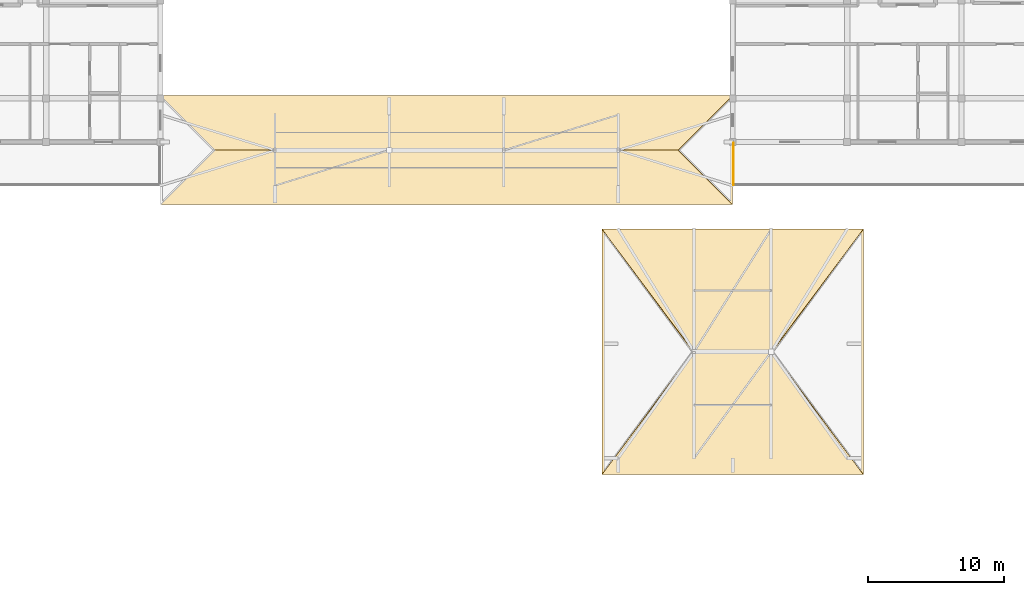
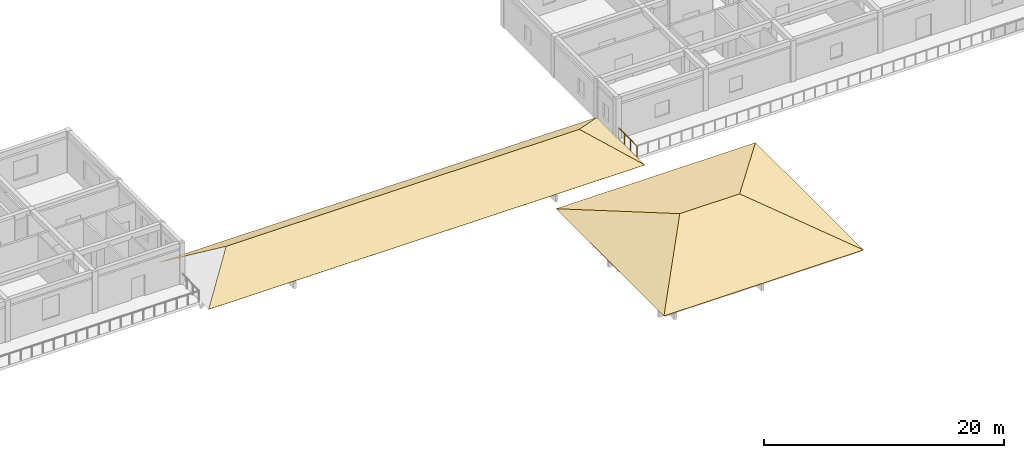
# One storey, part 23 of 26: 7 coverings, 1 railing, 2 elements without a shape of their own.
"""IFC4 building model written with IfcOpenShell, lengths in metres."""

from ifc_helpers import new_model, si_unit, direction, frame, origin, origin_2d, place, context, subcontext, project, spatial, polyline, circle, outline, extrude, material, layer, layer_set, type_object, element, aggregate, save


model = new_model("IFC4")

# Units and contexts
model_context = context("Model", 3, precision=1e-05, world=origin(), true_north=direction((0.0, 1.0)))
body_context = subcontext(model_context, "Body", "Model", "MODEL_VIEW")
ifc_project = project(units=[si_unit("LENGTHUNIT", "METRE"), si_unit("AREAUNIT", "SQUARE_METRE"), si_unit("VOLUMEUNIT", "CUBIC_METRE"), si_unit("PLANEANGLEUNIT", "RADIAN"), si_unit("MASSUNIT", "GRAM", prefix="KILO")], contexts=[model_context])

# Site, building, storey
site_placement = place(None, origin())
site = spatial("IfcSite", under=ifc_project, at=site_placement, CompositionType="ELEMENT")
building_placement = place(site_placement, origin())
building = spatial("IfcBuilding", under=site, at=building_placement, Name="Varncliffe General Hospital", CompositionType="ELEMENT")
storey_placement = place(building_placement, frame((0.0, 0.0, 28.800048828125)))
storey = spatial("IfcBuildingStorey", under=building, at=storey_placement, Name="L06", CompositionType="ELEMENT", Elevation=28.800048828125)

# Railing
ifc_material_1 = material(Name="Powder-coated wrought-iron and bronze balustrade", Category="steel")
railing_type = type_object("IfcRailingType", Name="Spanish Colonial Wrought-Iron Terrace Balustrade BL44", PredefinedType="BALUSTRADE", material=ifc_material_1)
railing_placement = place(storey_placement, frame((109.260009765625, 105.919921875, 0.0)))
element("IfcRailing", 1, at=railing_placement, inside=storey, type_object=railing_type, Name="L06 East Step-2 Healing Roof Terrace Balustrade 11", PredefinedType="BALUSTRADE", context=body_context, shape_type="SweptSolid", body=[
    extrude(circle(Radius=0.02392578125, at=origin_2d()), frame((0.0, 0.0, 1.076171875), z_axis=(0.0, -1.0, 0.0), x_axis=(1.0, 0.0, 0.0)), (0.0, 0.0, 1.0), 3.059814453125),
    extrude(circle(Radius=0.02099609375, at=origin_2d()), origin(), (0.0, 0.0, 1.0), 1.052001953125),
    extrude(circle(Radius=0.02099609375, at=origin_2d()), frame((0.0, -1.02001953125, 0.0)), (0.0, 0.0, 1.0), 1.052001953125),
    extrude(circle(Radius=0.02099609375, at=origin_2d()), frame((0.0, -2.039794921875, 0.0)), (0.0, 0.0, 1.0), 1.052001953125),
    extrude(circle(Radius=0.02099609375, at=origin_2d()), frame((0.0, -3.059814453125, 0.0)), (0.0, 0.0, 1.0), 1.052001953125),
])

# Roof, coverings
ifc_material_2 = material(Name="Terracotta clay roof tile over waterproof membrane", Category="masonry")
roof_type = type_object("IfcRoofType", Name="Hipped Clay-Tile Roof Assembly HR20", PredefinedType="HIP_ROOF", material=ifc_material_2)
roof_1_placement = place(storey_placement, origin())
roof_1 = element("IfcRoof", 2, at=roof_1_placement, inside=storey, type_object=roof_type, Name="L06 Hipped Roof RF-V4-PH", PredefinedType="HIP_ROOF")
ifc_layer = layer(ifc_material_2, 0.044921875)
ifc_layer_set = layer_set([ifc_layer], Name="Terracotta clay roof tile over waterproof membrane")
covering_type = type_object("IfcCoveringType", Name="Terracotta Clay Tile Roofing RFG24", PredefinedType="ROOFING", material=ifc_layer_set)
covering_1_placement = place(storey_placement, frame((99.60009765625, 81.60009765625, 0.044921875), z_axis=(0.0, -0.27754927422, 0.960711403273), x_axis=(1.0, 0.0, 0.0)))
covering_1 = element("IfcCovering", 3, at=covering_1_placement, type_object=covering_type, Name="L06 RF-V4-PH Terracotta Clay Tile Slope S", PredefinedType="ROOFING", context=body_context, shape_type="SweptSolid", body=[
    extrude(outline(polyline([(0.0, 0.0), (19.199951171875, 0.0), (12.47998046875, 9.36805784685581), (6.719970703125, 9.36805784685581), (0.0, 0.0)])), origin(), (0.0, 0.0, -1.0), 0.044921875),
])
covering_2_placement = place(storey_placement, frame((118.800048828125, 99.60009765625, 0.044921875), z_axis=(0.0, 0.27754927422, 0.960711403273), x_axis=(-1.0, 0.0, 0.0)))
covering_2 = element("IfcCovering", 4, at=covering_2_placement, type_object=covering_type, Name="L06 RF-V4-PH Terracotta Clay Tile Slope N", PredefinedType="ROOFING", context=body_context, shape_type="SweptSolid", body=[
    extrude(outline(polyline([(0.0, 0.0), (19.199951171875, 0.0), (12.47998046875, 9.36805784685581), (6.719970703125, 9.36805784685581), (0.0, 0.0)])), origin(), (0.0, 0.0, -1.0), 0.044921875),
])
covering_3_placement = place(storey_placement, frame((99.60009765625, 99.60009765625, 0.044921875), z_axis=(-0.36085151473, 0.0, 0.932623281029), x_axis=(0.0, -1.0, 0.0)))
covering_3 = element("IfcCovering", 5, at=covering_3_placement, type_object=covering_type, Name="L06 RF-V4-PH Terracotta Clay Tile Slope W", PredefinedType="ROOFING", context=body_context, shape_type="SweptSolid", body=[
    extrude(outline(polyline([(0.0, 0.0), (18.0, 0.0), (9.0, 7.205450303270091), (0.0, 0.0)])), origin(), (0.0, 0.0, -1.0), 0.044921875),
])
covering_4_placement = place(storey_placement, frame((118.800048828125, 81.60009765625, 0.044921875), z_axis=(0.36085151473, 0.0, 0.932623281029), x_axis=(0.0, 1.0, 0.0)))
covering_4 = element("IfcCovering", 6, at=covering_4_placement, type_object=covering_type, Name="L06 RF-V4-PH Terracotta Clay Tile Slope E", PredefinedType="ROOFING", context=body_context, shape_type="SweptSolid", body=[
    extrude(outline(polyline([(0.0, 0.0), (18.0, 0.0), (9.0, 7.205450303270091), (0.0, 0.0)])), origin(), (0.0, 0.0, -1.0), 0.044921875),
])
aggregate(roof_1, [covering_1, covering_2, covering_3, covering_4])

roof_2_placement = place(storey_placement, origin())
roof_2 = element("IfcRoof", 7, at=roof_2_placement, inside=storey, type_object=roof_type, Name="L06 Hipped Roof RF-V6-LINK", PredefinedType="HIP_ROOF")
covering_5_placement = place(storey_placement, frame((67.199951171875, 101.39990234375, 0.044921875), z_axis=(0.0, -0.545002740383, 0.838434262763), x_axis=(1.0, 0.0, 0.0)))
covering_5 = element("IfcCovering", 8, at=covering_5_placement, type_object=covering_type, Name="L06 RF-V6-LINK Terracotta Clay Tile Slope S", PredefinedType="ROOFING", context=body_context, shape_type="SweptSolid", body=[
    extrude(outline(polyline([(0.0, 0.0), (42.0, 0.0), (38.0, 4.770797398971868), (4.0, 4.770797398971868), (0.0, 0.0)])), origin(), (0.0, 0.0, -1.0), 0.044921875),
])
covering_6_placement = place(storey_placement, frame((109.199951171875, 109.39990234375, 0.044921875), z_axis=(0.0, 0.545002740383, 0.838434262763), x_axis=(-1.0, 0.0, 0.0)))
covering_6 = element("IfcCovering", 9, at=covering_6_placement, type_object=covering_type, Name="L06 RF-V6-LINK Terracotta Clay Tile Slope N", PredefinedType="ROOFING", context=body_context, shape_type="SweptSolid", body=[
    extrude(outline(polyline([(0.0, 0.0), (42.0, 0.0), (38.0, 4.770797398971868), (4.0, 4.770797398971868), (0.0, 0.0)])), origin(), (0.0, 0.0, -1.0), 0.044921875),
])
covering_7_placement = place(storey_placement, frame((109.199951171875, 101.39990234375, 0.044921875), z_axis=(0.545002740383, 0.0, 0.838434262763), x_axis=(0.0, 1.0, 0.0)))
covering_7 = element("IfcCovering", 10, at=covering_7_placement, type_object=covering_type, Name="L06 RF-V6-LINK Terracotta Clay Tile Slope E", PredefinedType="ROOFING", context=body_context, shape_type="SweptSolid", body=[
    extrude(outline(polyline([(0.0, 0.0), (8.0, 0.0), (4.0, 4.770797398971868), (0.0, 0.0)])), origin(), (0.0, 0.0, -1.0), 0.044921875),
])
aggregate(roof_2, [covering_5, covering_6, covering_7])

save(model, "model.ifc")
